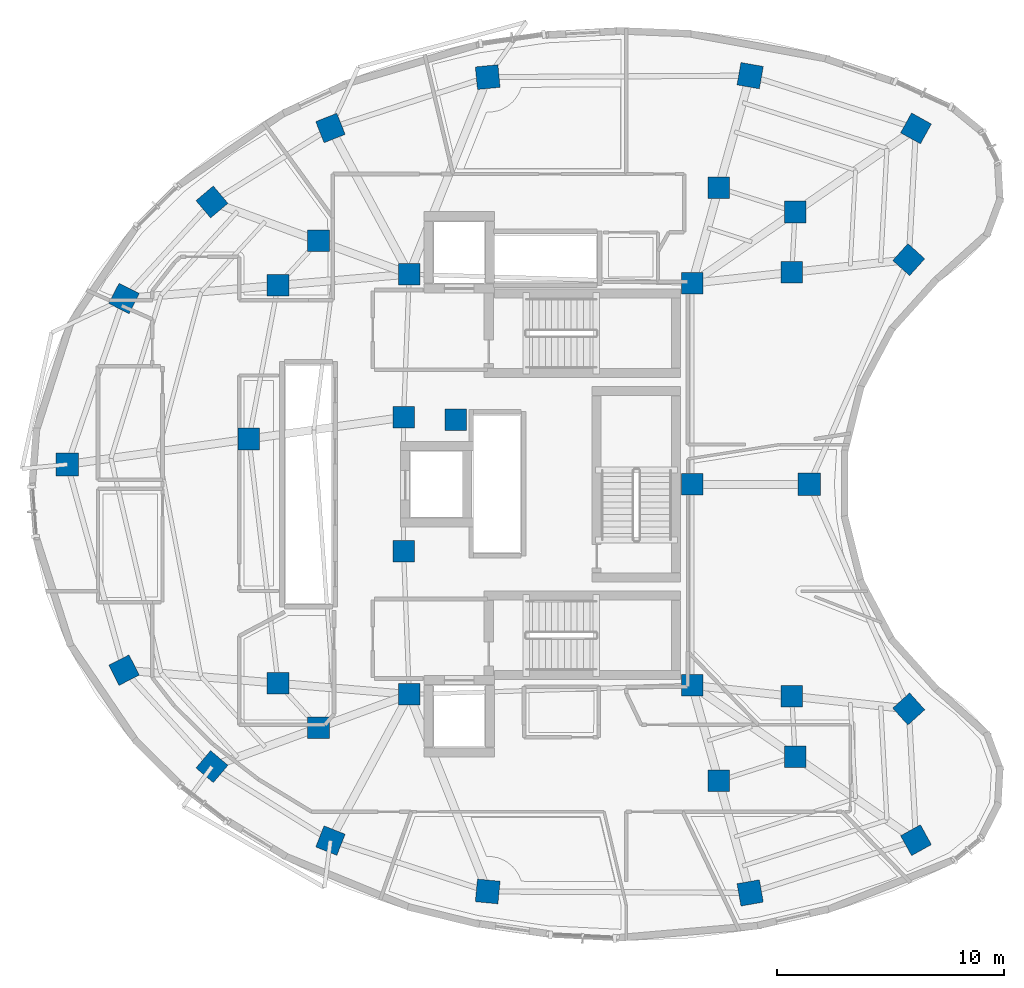
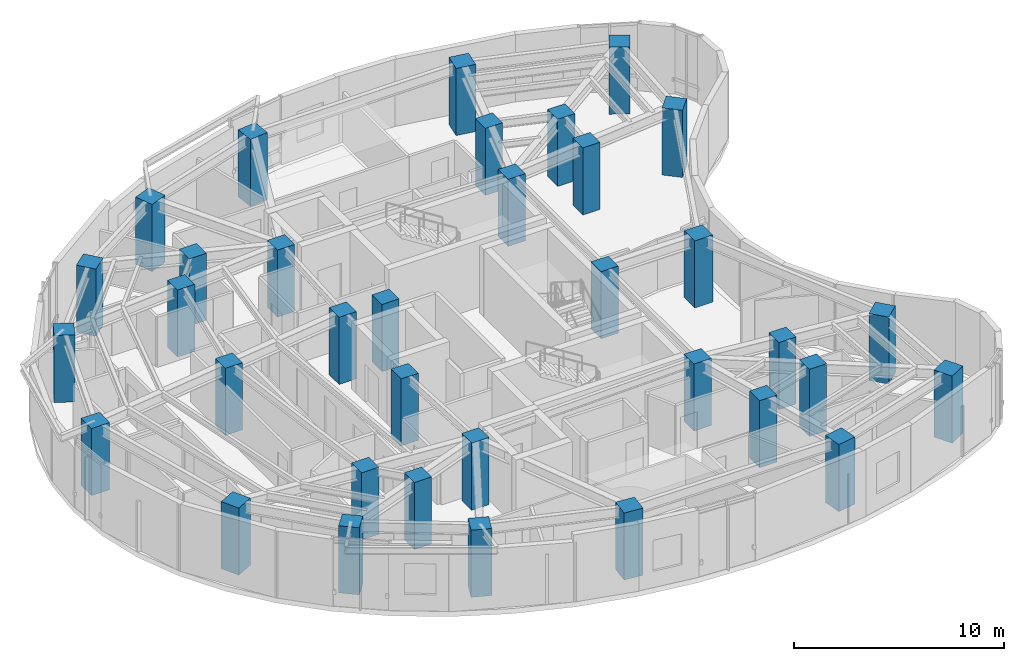
# One storey, part 1 of 13: 35 columns.
"""IFC4 building model written with IfcOpenShell, lengths in metres."""

from ifc_helpers import new_model, si_unit, direction, frame, origin, origin_2d, place, context, subcontext, project, spatial, rectangle, extrude, material, material_profile, profile_set, type_object, element, save


model = new_model("IFC4")

# Units and contexts
model_context = context("Model", 3, precision=1e-05, world=origin(), true_north=direction((0.0, 1.0)))
body_context = subcontext(model_context, "Body", "Model", "MODEL_VIEW")
ifc_project = project(units=[si_unit("LENGTHUNIT", "METRE"), si_unit("AREAUNIT", "SQUARE_METRE"), si_unit("VOLUMEUNIT", "CUBIC_METRE"), si_unit("PLANEANGLEUNIT", "RADIAN"), si_unit("MASSUNIT", "GRAM", prefix="KILO")], contexts=[model_context])

# Site, building, storey
site_placement = place(None, origin())
site = spatial("IfcSite", under=ifc_project, at=site_placement, CompositionType="ELEMENT")
building_placement = place(site_placement, origin())
building = spatial("IfcBuilding", under=site, at=building_placement, Name="Korentha Bioscience Tower", CompositionType="ELEMENT")
storey_placement = place(building_placement, frame((0.0, 0.0, 200.39990234375)))
storey = spatial("IfcBuildingStorey", under=building, at=storey_placement, Name="L46", CompositionType="ELEMENT", Elevation=200.39990234375)

# Columns
ifc_material = material(Name="Concrete C65", Category="concrete")
ifc_material_profile_1 = material_profile(ifc_material, rectangle(XDim=0.949951171875, YDim=0.949951171875, at=origin_2d()), Name="Concrete C65")
ifc_profile_set_1 = profile_set([ifc_material_profile_1], Name="Concrete C65 (COL-CP09)")
column_type_1 = type_object("IfcColumnType", Name="Core Pilaster Column RC 950x950", PredefinedType="PILASTER", material=ifc_profile_set_1)
for number, where, z_axis, x_axis, name in (
    (1, (37.550048828125, 35.85009765625, -0.00048828125), (0.0, 0.0, 1.0), (1.0, 0.0, 0.0), "L46 Core Pilaster CP-01"),
    (2, (25.10009765625, 36.25, -0.00048828125), (0.0, 0.0, 1.0), (1.0, 0.0, 0.0), "L46 Core Pilaster CP-02"),
    (3, (24.85009765625, 29.949951171875, -0.00048828125), (0.0, 0.0, 1.0), (1.0, 0.0, 0.0), "L46 Core Pilaster CP-03"),
    (4, (27.14990234375, 29.85009765625, -0.00048828125), (0.0, 0.0, 1.0), (1.0, 0.0, 0.0), "L46 Core Pilaster CP-04"),
    (5, (24.85009765625, 24.050048828125, -0.00048828125), (0.0, 0.0, 1.0), (1.0, 0.0, 0.0), "L46 Core Pilaster CP-05"),
    (6, (25.10009765625, 17.75, -0.00048828125), (0.0, 0.0, 1.0), (1.0, 0.0, 0.0), "L46 Core Pilaster CP-06"),
    (7, (37.550048828125, 18.14990234375, -0.00048828125), (0.0, 0.0, 1.0), (1.0, 0.0, 0.0), "L46 Core Pilaster CP-07"),
    (8, (37.550048828125, 27.0, -0.00048828125), (0.0, 0.0, 1.0), (1.0, 0.0, 0.0), "L46 Core Pilaster CP-08"),
):
    element("IfcColumn", number, at=place(storey_placement, frame(where, z_axis=z_axis, x_axis=x_axis)), inside=storey, type_object=column_type_1, Name=name, PredefinedType="PILASTER", context=body_context, shape_type="SweptSolid", body=[
        extrude(rectangle(XDim=0.949951171875, YDim=0.949951171875, at=origin_2d()), origin(), (0.0, 0.0, 1.0), 3.901123046875),
    ])
ifc_material_profile_2 = material_profile(ifc_material, rectangle(XDim=0.949951171875, YDim=0.949951171875, at=origin_2d()), Name="Concrete C65")
ifc_profile_set_2 = profile_set([ifc_material_profile_2], Name="Concrete C65 (COL-MR09)")
column_type_2 = type_object("IfcColumnType", Name="Mid-Ring Lab Column RC 950x950", PredefinedType="COLUMN", material=ifc_profile_set_2)
for number, where, z_axis, x_axis, name in (
    (9, (42.084228515625, 38.985595703125, -0.00048828125), (0.0, 0.0, 1.0), (1.0, 0.0, 0.0), "L46 Mid-Ring Column 01"),
    (10, (38.72607421875, 40.052978515625, -0.00048828125), (0.0, 0.0, 1.0), (1.0, 0.0, 0.0), "L46 Mid-Ring Column 02"),
    (11, (21.105224609375, 37.711669921875, -0.00048828125), (0.0, 0.0, 1.0), (1.0, 0.0, 0.0), "L46 Mid-Ring Column 05"),
    (12, (19.32470703125, 35.757568359375, -0.00048828125), (0.0, 0.0, 1.0), (1.0, 0.0, 0.0), "L46 Mid-Ring Column 06"),
    (13, (18.04296875, 28.9951171875, -0.00048828125), (0.0, 0.0, 1.0), (1.0, 0.0, 0.0), "L46 Mid-Ring Column 07"),
    (14, (19.32470703125, 18.242431640625, -0.00048828125), (0.0, 0.0, 1.0), (1.0, 0.0, 0.0), "L46 Mid-Ring Column 08"),
    (15, (21.105224609375, 16.288330078125, -0.00048828125), (0.0, 0.0, 1.0), (1.0, 0.0, 0.0), "L46 Mid-Ring Column 09"),
    (16, (38.72607421875, 13.947021484375, -0.00048828125), (0.0, 0.0, 1.0), (1.0, 0.0, 0.0), "L46 Mid-Ring Column 12"),
    (17, (42.084228515625, 15.014404296875, -0.00048828125), (0.0, 0.0, 1.0), (1.0, 0.0, 0.0), "L46 Mid-Ring Column 13"),
    (18, (41.9375, 17.672119140625, -0.00048828125), (0.0, 0.0, 1.0), (1.0, 0.0, 0.0), "L46 Mid-Ring Column 14"),
    (19, (41.9375, 36.327880859375, -0.00048828125), (0.0, 0.0, 1.0), (1.0, 0.0, 0.0), "L46 Mid-Ring Column 16"),
):
    element("IfcColumn", number, at=place(storey_placement, frame(where, z_axis=z_axis, x_axis=x_axis)), inside=storey, type_object=column_type_2, Name=name, PredefinedType="COLUMN", context=body_context, shape_type="SweptSolid", body=[
        extrude(rectangle(XDim=0.949951171875, YDim=0.949951171875, at=origin_2d()), origin(), (0.0, 0.0, 1.0), 3.901123046875),
    ])
ifc_material_profile_3 = material_profile(ifc_material, rectangle(XDim=1.0, YDim=1.0, at=origin_2d()), Name="Concrete C65")
ifc_profile_set_3 = profile_set([ifc_material_profile_3], Name="Concrete C65 (COL-P10)")
column_type_3 = type_object("IfcColumnType", Name="Perimeter Column RC 1000x1000", PredefinedType="COLUMN", material=ifc_profile_set_3)
for number, where, z_axis, x_axis, name in (
    (20, (47.406982421875, 42.666259765625, -0.00048828125), (0.0, 0.0, 1.0), (-0.874535078577, 0.484962262797, 0.0), "L46 Perimeter Column 01"),
    (21, (40.106689453125, 44.987060546875, -0.00048828125), (0.0, 0.0, 1.0), (-0.984868307662, 0.173304404339, 0.0), "L46 Perimeter Column 02"),
    (22, (28.5537109375, 44.923583984375, -0.00048828125), (0.0, 0.0, 1.0), (0.995462868748, 0.095150811579, 0.0), "L46 Perimeter Column 03"),
    (23, (21.631591796875, 42.68359375, -0.00048828125), (0.0, 0.0, 1.0), (0.930225540858, 0.366988341962, 0.0), "L46 Perimeter Column 04"),
    (24, (16.415771484375, 39.427490234375, -0.00048828125), (0.0, 0.0, 1.0), (0.764246456939, 0.644924300253, 0.0), "L46 Perimeter Column 05"),
    (25, (12.54541015625, 35.1796875, -0.00048828125), (0.0, 0.0, 1.0), (0.453057191132, 0.891481453292, 0.0), "L46 Perimeter Column 06"),
    (26, (10.05224609375, 27.874267578125, -0.00048828125), (0.0, 0.0, 1.0), (0.0, 1.0, 0.0), "L46 Perimeter Column 07"),
    (27, (12.54541015625, 18.8203125, -0.00048828125), (0.0, 0.0, 1.0), (-0.453057191132, 0.891481453292, 0.0), "L46 Perimeter Column 08"),
    (28, (16.415771484375, 14.572509765625, -0.00048828125), (0.0, 0.0, 1.0), (-0.764246456939, 0.644924300253, 0.0), "L46 Perimeter Column 09"),
    (29, (21.631591796875, 11.31640625, -0.00048828125), (0.0, 0.0, 1.0), (-0.930225540858, 0.366988341962, 0.0), "L46 Perimeter Column 10"),
    (30, (28.5537109375, 9.076416015625, -0.00048828125), (0.0, 0.0, 1.0), (-0.995462868748, 0.095150811579, 0.0), "L46 Perimeter Column 11"),
    (31, (40.106689453125, 9.012939453125, -0.00048828125), (0.0, 0.0, 1.0), (0.984868307662, 0.173304404339, 0.0), "L46 Perimeter Column 12"),
    (32, (47.406982421875, 11.333740234375, -0.00048828125), (0.0, 0.0, 1.0), (0.874535078577, 0.484962262797, 0.0), "L46 Perimeter Column 13"),
    (33, (47.088134765625, 17.11083984375, -0.00048828125), (0.0, 0.0, 1.0), (-0.669130606359, 0.743144825477, 0.0), "L46 Perimeter Column 14"),
    (34, (42.708984375, 27.0, -0.00048828125), (0.0, 0.0, 1.0), (0.0, 1.0, 0.0), "L46 Perimeter Column 15"),
    (35, (47.088134765625, 36.88916015625, -0.00048828125), (0.0, 0.0, 1.0), (0.669130606359, 0.743144825477, 0.0), "L46 Perimeter Column 16"),
):
    element("IfcColumn", number, at=place(storey_placement, frame(where, z_axis=z_axis, x_axis=x_axis)), inside=storey, type_object=column_type_3, Name=name, PredefinedType="COLUMN", context=body_context, shape_type="SweptSolid", body=[
        extrude(rectangle(XDim=1.0, YDim=1.0, at=origin_2d()), origin(), (0.0, 0.0, 1.0), 3.901123046875),
    ])

save(model, "model.ifc")
